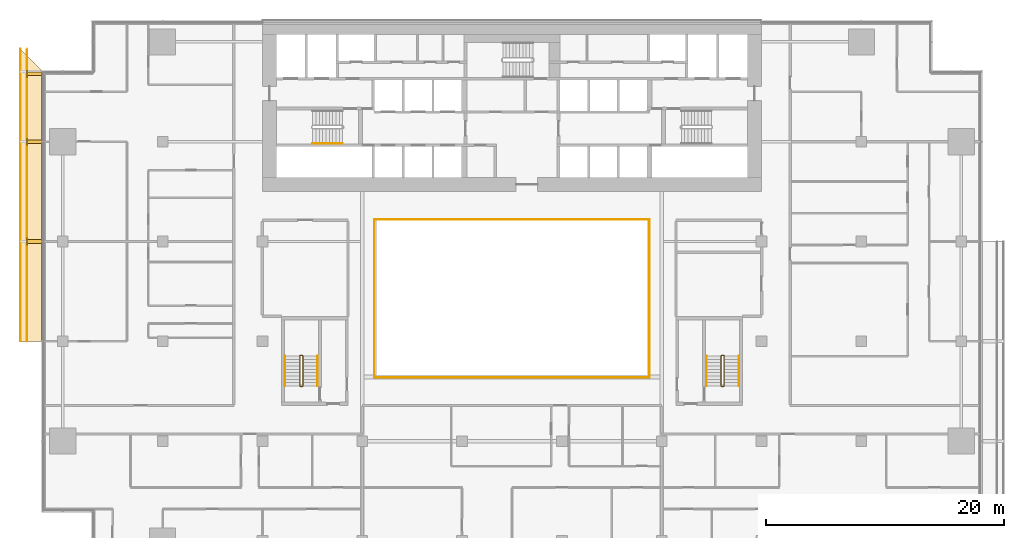
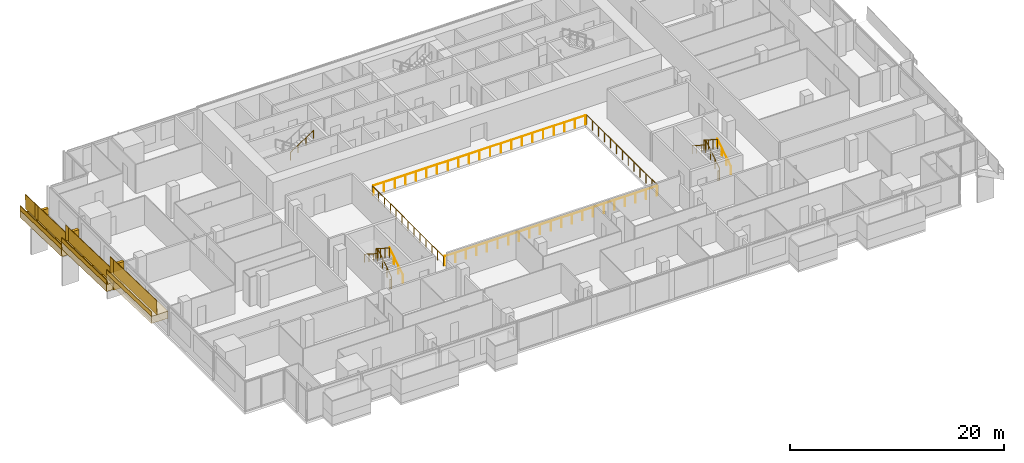
# One storey, part 26 of 28: 17 railings, 9 coverings.
"""IFC4 building model written with IfcOpenShell, lengths in metres."""

from ifc_helpers import new_model, si_unit, direction, frame, origin, origin_2d, place, context, subcontext, project, spatial, polyline, rectangle, circle, outline, extrude, material, layer, layer_set, type_object, element, save


model = new_model("IFC4")

# Units and contexts
model_context = context("Model", 3, precision=1e-05, world=origin(), true_north=direction((0.0, 1.0)))
body_context = subcontext(model_context, "Body", "Model", "MODEL_VIEW")
ifc_project = project(units=[si_unit("LENGTHUNIT", "METRE"), si_unit("AREAUNIT", "SQUARE_METRE"), si_unit("VOLUMEUNIT", "CUBIC_METRE"), si_unit("PLANEANGLEUNIT", "RADIAN"), si_unit("MASSUNIT", "GRAM", prefix="KILO")], contexts=[model_context])

# Site, building, storey
site_placement = place(None, origin())
site = spatial("IfcSite", under=ifc_project, at=site_placement, CompositionType="ELEMENT")
building_placement = place(site_placement, origin())
building = spatial("IfcBuilding", under=site, at=building_placement, Name="Saffron Gate Tower", CompositionType="ELEMENT")
storey_placement = place(building_placement, frame((0.0, 0.0, 51.60009765625)))
storey = spatial("IfcBuildingStorey", under=building, at=storey_placement, Name="L11", CompositionType="ELEMENT", Elevation=51.60009765625)

# Railings
ifc_material_1 = material(Name="Stainless steel and laminated glass", Category="steel")
railing_type_1 = type_object("IfcRailingType", Name="AG1 Atrium edge guard 1100", PredefinedType="GUARDRAIL", material=ifc_material_1)
railing_1_placement = place(storey_placement, frame((76.02001953125, 45.5400390625, 0.0)))
element("IfcRailing", 1, at=railing_1_placement, inside=storey, type_object=railing_type_1, Name="Guard A2-1", PredefinedType="GUARDRAIL", context=body_context, shape_type="SweptSolid", body=[
    extrude(circle(Radius=0.02392578125, at=origin_2d()), frame((0.0, 0.0, 1.076171875), z_axis=(0.0, 1.0, 0.0), x_axis=(-1.0, 0.0, 0.0)), (0.0, 0.0, 1.0), 13.320068359375),
    extrude(circle(Radius=0.02099609375, at=origin_2d()), origin(), (0.0, 0.0, 1.0), 1.052001953125),
    extrude(circle(Radius=0.02099609375, at=origin_2d()), frame((0.0, 1.110107421875, 0.0)), (0.0, 0.0, 1.0), 1.052001953125),
    extrude(circle(Radius=0.02099609375, at=origin_2d()), frame((0.0, 2.219970703125, 0.0)), (0.0, 0.0, 1.0), 1.052001953125),
    extrude(circle(Radius=0.02099609375, at=origin_2d()), frame((0.0, 3.330078125, 0.0)), (0.0, 0.0, 1.0), 1.052001953125),
    extrude(circle(Radius=0.02099609375, at=origin_2d()), frame((0.0, 4.43994140625, 0.0)), (0.0, 0.0, 1.0), 1.052001953125),
    extrude(circle(Radius=0.02099609375, at=origin_2d()), frame((0.0, 5.550048828125, 0.0)), (0.0, 0.0, 1.0), 1.052001953125),
    extrude(circle(Radius=0.02099609375, at=origin_2d()), frame((0.0, 6.66015625, 0.0)), (0.0, 0.0, 1.0), 1.052001953125),
    extrude(circle(Radius=0.02099609375, at=origin_2d()), frame((0.0, 7.77001953125, 0.0)), (0.0, 0.0, 1.0), 1.052001953125),
    extrude(circle(Radius=0.02099609375, at=origin_2d()), frame((0.0, 8.880126953125, 0.0)), (0.0, 0.0, 1.0), 1.052001953125),
    extrude(circle(Radius=0.02099609375, at=origin_2d()), frame((0.0, 9.989990234375, 0.0)), (0.0, 0.0, 1.0), 1.052001953125),
    extrude(circle(Radius=0.02099609375, at=origin_2d()), frame((0.0, 11.10009765625, 0.0)), (0.0, 0.0, 1.0), 1.052001953125),
    extrude(circle(Radius=0.02099609375, at=origin_2d()), frame((0.0, 12.2099609375, 0.0)), (0.0, 0.0, 1.0), 1.052001953125),
    extrude(circle(Radius=0.02099609375, at=origin_2d()), frame((0.0, 13.320068359375, 0.0)), (0.0, 0.0, 1.0), 1.052001953125),
])
railing_2_placement = place(storey_placement, frame((76.139892578125, 58.860107421875, 0.0)))
element("IfcRailing", 2, at=railing_2_placement, inside=storey, type_object=railing_type_1, Name="Guard A2-2", PredefinedType="GUARDRAIL", context=body_context, shape_type="SweptSolid", body=[
    extrude(circle(Radius=0.02392578125, at=origin_2d()), frame((0.0, 0.0, 1.076171875), z_axis=(1.0, 0.0, 0.0), x_axis=(0.0, 1.0, 0.0)), (0.0, 0.0, 1.0), 22.920166015625),
    extrude(circle(Radius=0.02099609375, at=origin_2d()), origin(), (0.0, 0.0, 1.0), 1.052001953125),
    extrude(circle(Radius=0.02099609375, at=origin_2d()), frame((1.14599609375, 0.0, 0.0)), (0.0, 0.0, 1.0), 1.052001953125),
    extrude(circle(Radius=0.02099609375, at=origin_2d()), frame((2.2919921875, 0.0, 0.0)), (0.0, 0.0, 1.0), 1.052001953125),
    extrude(circle(Radius=0.02099609375, at=origin_2d()), frame((3.43798828125, 0.0, 0.0)), (0.0, 0.0, 1.0), 1.052001953125),
    extrude(circle(Radius=0.02099609375, at=origin_2d()), frame((4.583984375, 0.0, 0.0)), (0.0, 0.0, 1.0), 1.052001953125),
    extrude(circle(Radius=0.02099609375, at=origin_2d()), frame((5.72998046875, 0.0, 0.0)), (0.0, 0.0, 1.0), 1.052001953125),
    extrude(circle(Radius=0.02099609375, at=origin_2d()), frame((6.8759765625, 0.0, 0.0)), (0.0, 0.0, 1.0), 1.052001953125),
    extrude(circle(Radius=0.02099609375, at=origin_2d()), frame((8.02197265625, 0.0, 0.0)), (0.0, 0.0, 1.0), 1.052001953125),
    extrude(circle(Radius=0.02099609375, at=origin_2d()), frame((9.16796875, 0.0, 0.0)), (0.0, 0.0, 1.0), 1.052001953125),
    extrude(circle(Radius=0.02099609375, at=origin_2d()), frame((10.31396484375, 0.0, 0.0)), (0.0, 0.0, 1.0), 1.052001953125),
    extrude(circle(Radius=0.02099609375, at=origin_2d()), frame((11.4599609375, 0.0, 0.0)), (0.0, 0.0, 1.0), 1.052001953125),
    extrude(circle(Radius=0.02099609375, at=origin_2d()), frame((12.606201171875, 0.0, 0.0)), (0.0, 0.0, 1.0), 1.052001953125),
    extrude(circle(Radius=0.02099609375, at=origin_2d()), frame((13.752197265625, 0.0, 0.0)), (0.0, 0.0, 1.0), 1.052001953125),
    extrude(circle(Radius=0.02099609375, at=origin_2d()), frame((14.898193359375, 0.0, 0.0)), (0.0, 0.0, 1.0), 1.052001953125),
    extrude(circle(Radius=0.02099609375, at=origin_2d()), frame((16.044189453125, 0.0, 0.0)), (0.0, 0.0, 1.0), 1.052001953125),
    extrude(circle(Radius=0.02099609375, at=origin_2d()), frame((17.190185546875, 0.0, 0.0)), (0.0, 0.0, 1.0), 1.052001953125),
    extrude(circle(Radius=0.02099609375, at=origin_2d()), frame((18.336181640625, 0.0, 0.0)), (0.0, 0.0, 1.0), 1.052001953125),
    extrude(circle(Radius=0.02099609375, at=origin_2d()), frame((19.482177734375, 0.0, 0.0)), (0.0, 0.0, 1.0), 1.052001953125),
    extrude(circle(Radius=0.02099609375, at=origin_2d()), frame((20.628173828125, 0.0, 0.0)), (0.0, 0.0, 1.0), 1.052001953125),
    extrude(circle(Radius=0.02099609375, at=origin_2d()), frame((21.774169921875, 0.0, 0.0)), (0.0, 0.0, 1.0), 1.052001953125),
    extrude(circle(Radius=0.02099609375, at=origin_2d()), frame((22.920166015625, 0.0, 0.0)), (0.0, 0.0, 1.0), 1.052001953125),
])
railing_3_placement = place(storey_placement, frame((99.179931640625, 58.860107421875, 0.0)))
element("IfcRailing", 3, at=railing_3_placement, inside=storey, type_object=railing_type_1, Name="Guard A2-3", PredefinedType="GUARDRAIL", context=body_context, shape_type="SweptSolid", body=[
    extrude(circle(Radius=0.02392578125, at=origin_2d()), frame((0.0, 0.0, 1.076171875), z_axis=(0.0, -1.0, 0.0), x_axis=(1.0, 0.0, 0.0)), (0.0, 0.0, 1.0), 13.320068359375),
    extrude(circle(Radius=0.02099609375, at=origin_2d()), origin(), (0.0, 0.0, 1.0), 1.052001953125),
    extrude(circle(Radius=0.02099609375, at=origin_2d()), frame((0.0, -1.110107421875, 0.0)), (0.0, 0.0, 1.0), 1.052001953125),
    extrude(circle(Radius=0.02099609375, at=origin_2d()), frame((0.0, -2.219970703125, 0.0)), (0.0, 0.0, 1.0), 1.052001953125),
    extrude(circle(Radius=0.02099609375, at=origin_2d()), frame((0.0, -3.330078125, 0.0)), (0.0, 0.0, 1.0), 1.052001953125),
    extrude(circle(Radius=0.02099609375, at=origin_2d()), frame((0.0, -4.43994140625, 0.0)), (0.0, 0.0, 1.0), 1.052001953125),
    extrude(circle(Radius=0.02099609375, at=origin_2d()), frame((0.0, -5.550048828125, 0.0)), (0.0, 0.0, 1.0), 1.052001953125),
    extrude(circle(Radius=0.02099609375, at=origin_2d()), frame((0.0, -6.66015625, 0.0)), (0.0, 0.0, 1.0), 1.052001953125),
    extrude(circle(Radius=0.02099609375, at=origin_2d()), frame((0.0, -7.77001953125, 0.0)), (0.0, 0.0, 1.0), 1.052001953125),
    extrude(circle(Radius=0.02099609375, at=origin_2d()), frame((0.0, -8.880126953125, 0.0)), (0.0, 0.0, 1.0), 1.052001953125),
    extrude(circle(Radius=0.02099609375, at=origin_2d()), frame((0.0, -9.989990234375, 0.0)), (0.0, 0.0, 1.0), 1.052001953125),
    extrude(circle(Radius=0.02099609375, at=origin_2d()), frame((0.0, -11.10009765625, 0.0)), (0.0, 0.0, 1.0), 1.052001953125),
    extrude(circle(Radius=0.02099609375, at=origin_2d()), frame((0.0, -12.2099609375, 0.0)), (0.0, 0.0, 1.0), 1.052001953125),
    extrude(circle(Radius=0.02099609375, at=origin_2d()), frame((0.0, -13.320068359375, 0.0)), (0.0, 0.0, 1.0), 1.052001953125),
])
railing_4_placement = place(storey_placement, frame((99.06005859375, 45.5400390625, 0.0)))
element("IfcRailing", 4, at=railing_4_placement, inside=storey, type_object=railing_type_1, Name="Guard A2-4", PredefinedType="GUARDRAIL", context=body_context, shape_type="SweptSolid", body=[
    extrude(circle(Radius=0.02392578125, at=origin_2d()), frame((0.0, 0.0, 1.076171875), z_axis=(-1.0, 0.0, 0.0), x_axis=(0.0, -1.0, 0.0)), (0.0, 0.0, 1.0), 22.920166015625),
    extrude(circle(Radius=0.02099609375, at=origin_2d()), origin(), (0.0, 0.0, 1.0), 1.052001953125),
    extrude(circle(Radius=0.02099609375, at=origin_2d()), frame((-1.14599609375, 0.0, 0.0)), (0.0, 0.0, 1.0), 1.052001953125),
    extrude(circle(Radius=0.02099609375, at=origin_2d()), frame((-2.2919921875, 0.0, 0.0)), (0.0, 0.0, 1.0), 1.052001953125),
    extrude(circle(Radius=0.02099609375, at=origin_2d()), frame((-3.43798828125, 0.0, 0.0)), (0.0, 0.0, 1.0), 1.052001953125),
    extrude(circle(Radius=0.02099609375, at=origin_2d()), frame((-4.583984375, 0.0, 0.0)), (0.0, 0.0, 1.0), 1.052001953125),
    extrude(circle(Radius=0.02099609375, at=origin_2d()), frame((-5.72998046875, 0.0, 0.0)), (0.0, 0.0, 1.0), 1.052001953125),
    extrude(circle(Radius=0.02099609375, at=origin_2d()), frame((-6.8759765625, 0.0, 0.0)), (0.0, 0.0, 1.0), 1.052001953125),
    extrude(circle(Radius=0.02099609375, at=origin_2d()), frame((-8.02197265625, 0.0, 0.0)), (0.0, 0.0, 1.0), 1.052001953125),
    extrude(circle(Radius=0.02099609375, at=origin_2d()), frame((-9.16796875, 0.0, 0.0)), (0.0, 0.0, 1.0), 1.052001953125),
    extrude(circle(Radius=0.02099609375, at=origin_2d()), frame((-10.31396484375, 0.0, 0.0)), (0.0, 0.0, 1.0), 1.052001953125),
    extrude(circle(Radius=0.02099609375, at=origin_2d()), frame((-11.4599609375, 0.0, 0.0)), (0.0, 0.0, 1.0), 1.052001953125),
    extrude(circle(Radius=0.02099609375, at=origin_2d()), frame((-12.606201171875, 0.0, 0.0)), (0.0, 0.0, 1.0), 1.052001953125),
    extrude(circle(Radius=0.02099609375, at=origin_2d()), frame((-13.752197265625, 0.0, 0.0)), (0.0, 0.0, 1.0), 1.052001953125),
    extrude(circle(Radius=0.02099609375, at=origin_2d()), frame((-14.898193359375, 0.0, 0.0)), (0.0, 0.0, 1.0), 1.052001953125),
    extrude(circle(Radius=0.02099609375, at=origin_2d()), frame((-16.044189453125, 0.0, 0.0)), (0.0, 0.0, 1.0), 1.052001953125),
    extrude(circle(Radius=0.02099609375, at=origin_2d()), frame((-17.190185546875, 0.0, 0.0)), (0.0, 0.0, 1.0), 1.052001953125),
    extrude(circle(Radius=0.02099609375, at=origin_2d()), frame((-18.336181640625, 0.0, 0.0)), (0.0, 0.0, 1.0), 1.052001953125),
    extrude(circle(Radius=0.02099609375, at=origin_2d()), frame((-19.482177734375, 0.0, 0.0)), (0.0, 0.0, 1.0), 1.052001953125),
    extrude(circle(Radius=0.02099609375, at=origin_2d()), frame((-20.628173828125, 0.0, 0.0)), (0.0, 0.0, 1.0), 1.052001953125),
    extrude(circle(Radius=0.02099609375, at=origin_2d()), frame((-21.774169921875, 0.0, 0.0)), (0.0, 0.0, 1.0), 1.052001953125),
    extrude(circle(Radius=0.02099609375, at=origin_2d()), frame((-22.920166015625, 0.0, 0.0)), (0.0, 0.0, 1.0), 1.052001953125),
])
railing_type_2 = type_object("IfcRailingType", Name="CR1 Stair guard 1100", PredefinedType="GUARDRAIL", material=ifc_material_1)
railing_5_placement = place(storey_placement, frame((69.800048828125, 44.800048828125, 0.0)))
element("IfcRailing", 5, at=railing_5_placement, inside=storey, type_object=railing_type_2, Name="L11 ST-D stair guard 1", PredefinedType="GUARDRAIL", context=body_context, shape_type="SweptSolid", body=[
    extrude(circle(Radius=0.02392578125, at=origin_2d()), frame((0.0, 0.0, 1.076171875), z_axis=(1.0, 0.0, 0.0), x_axis=(0.0, 1.0, 0.0)), (0.0, 0.0, 1.0), 0.14990234375),
    extrude(circle(Radius=0.02392578125, at=origin_2d()), frame((0.14990234375, 0.0, 1.076171875), z_axis=(0.258847668887, 0.258847668887, 0.930588936439), x_axis=(-0.707106781187, 0.707106781187, 0.0)), (0.0, 0.0, 1.0), 0.193359375),
    extrude(circle(Radius=0.02392578125, at=origin_2d()), frame((0.199951171875, 0.050048828125, 1.255859375), z_axis=(0.0, 0.841199657755, 0.540724639528), x_axis=(-1.0, 0.0, 0.0)), (0.0, 0.0, 1.0), 2.995849609375),
    extrude(circle(Radius=0.02392578125, at=origin_2d()), frame((0.199951171875, 2.570068359375, 2.8759765625), z_axis=(-0.708833529934, 0.705375805398, 0.0), x_axis=(-0.705375805398, -0.708833529934, 0.0)), (0.0, 0.0, 1.0), 0.070556640625),
    extrude(circle(Radius=0.02392578125, at=origin_2d()), frame((0.14990234375, 2.619873046875, 2.8759765625), z_axis=(-1.0, 0.0, 0.0), x_axis=(0.0, -1.0, 0.0)), (0.0, 0.0, 1.0), 0.14990234375),
    extrude(circle(Radius=0.02392578125, at=origin_2d()), frame((0.0, 2.619873046875, 2.8759765625), z_axis=(-0.258627984543, -0.257366384619, 0.931060744355), x_axis=(0.705375805398, -0.708833529934, 0.0)), (0.0, 0.0, 1.0), 0.193603515625),
    extrude(circle(Radius=0.02392578125, at=origin_2d()), frame((-0.050048828125, 2.570068359375, 3.05615234375), z_axis=(0.0, -0.841199657755, 0.540724639528), x_axis=(1.0, 0.0, 0.0)), (0.0, 0.0, 1.0), 2.995849609375),
    extrude(circle(Radius=0.02099609375, at=origin_2d()), origin(), (0.0, 0.0, 1.0), 1.052001953125),
    extrude(circle(Radius=0.02099609375, at=origin_2d()), frame((0.14990234375, 0.0, 0.0)), (0.0, 0.0, 1.0), 1.052001953125),
    extrude(circle(Radius=0.02099609375, at=origin_2d()), frame((0.199951171875, 0.050048828125, 0.179931640625)), (0.0, 0.0, 1.0), 1.052001953125),
    extrude(circle(Radius=0.02099609375, at=origin_2d()), frame((0.199951171875, 0.89013671875, 0.719970703125)), (0.0, 0.0, 1.0), 1.052001953125),
    extrude(circle(Radius=0.02099609375, at=origin_2d()), frame((0.199951171875, 1.72998046875, 1.259765625)), (0.0, 0.0, 1.0), 1.052001953125),
    extrude(circle(Radius=0.02099609375, at=origin_2d()), frame((0.199951171875, 2.570068359375, 1.7998046875)), (0.0, 0.0, 1.0), 1.052001953125),
    extrude(circle(Radius=0.02099609375, at=origin_2d()), frame((0.14990234375, 2.619873046875, 1.7998046875)), (0.0, 0.0, 1.0), 1.052001953125),
    extrude(circle(Radius=0.02099609375, at=origin_2d()), frame((0.0, 2.619873046875, 1.7998046875)), (0.0, 0.0, 1.0), 1.052001953125),
    extrude(circle(Radius=0.02099609375, at=origin_2d()), frame((-0.050048828125, 2.570068359375, 1.97998046875)), (0.0, 0.0, 1.0), 1.052001953125),
    extrude(circle(Radius=0.02099609375, at=origin_2d()), frame((-0.050048828125, 1.72998046875, 2.52001953125)), (0.0, 0.0, 1.0), 1.052001953125),
    extrude(circle(Radius=0.02099609375, at=origin_2d()), frame((-0.050048828125, 0.89013671875, 3.059814453125)), (0.0, 0.0, 1.0), 1.052001953125),
    extrude(circle(Radius=0.02099609375, at=origin_2d()), frame((-0.050048828125, 0.050048828125, 3.599853515625)), (0.0, 0.0, 1.0), 1.052001953125),
])
railing_6_placement = place(storey_placement, frame((105.25, 44.800048828125, 0.0)))
element("IfcRailing", 6, at=railing_6_placement, inside=storey, type_object=railing_type_2, Name="L11 ST-E stair guard 1", PredefinedType="GUARDRAIL", context=body_context, shape_type="SweptSolid", body=[
    extrude(circle(Radius=0.02392578125, at=origin_2d()), frame((0.0, 0.0, 1.076171875), z_axis=(1.0, 0.0, 0.0), x_axis=(0.0, 1.0, 0.0)), (0.0, 0.0, 1.0), 0.14990234375),
    extrude(circle(Radius=0.02392578125, at=origin_2d()), frame((0.14990234375, 0.0, 1.076171875), z_axis=(0.258847668887, 0.258847668887, 0.930588936439), x_axis=(-0.707106781187, 0.707106781187, 0.0)), (0.0, 0.0, 1.0), 0.193359375),
    extrude(circle(Radius=0.02392578125, at=origin_2d()), frame((0.199951171875, 0.050048828125, 1.255859375), z_axis=(0.0, 0.841199657755, 0.540724639528), x_axis=(-1.0, 0.0, 0.0)), (0.0, 0.0, 1.0), 2.995849609375),
    extrude(circle(Radius=0.02392578125, at=origin_2d()), frame((0.199951171875, 2.570068359375, 2.8759765625), z_axis=(-0.708833529934, 0.705375805398, 0.0), x_axis=(-0.705375805398, -0.708833529934, 0.0)), (0.0, 0.0, 1.0), 0.070556640625),
    extrude(circle(Radius=0.02392578125, at=origin_2d()), frame((0.14990234375, 2.619873046875, 2.8759765625), z_axis=(-1.0, 0.0, 0.0), x_axis=(0.0, -1.0, 0.0)), (0.0, 0.0, 1.0), 0.14990234375),
    extrude(circle(Radius=0.02392578125, at=origin_2d()), frame((0.0, 2.619873046875, 2.8759765625), z_axis=(-0.258627984543, -0.257366384619, 0.931060744355), x_axis=(0.705375805398, -0.708833529934, 0.0)), (0.0, 0.0, 1.0), 0.193603515625),
    extrude(circle(Radius=0.02392578125, at=origin_2d()), frame((-0.050048828125, 2.570068359375, 3.05615234375), z_axis=(0.0, -0.841199657755, 0.540724639528), x_axis=(1.0, 0.0, 0.0)), (0.0, 0.0, 1.0), 2.995849609375),
    extrude(circle(Radius=0.02099609375, at=origin_2d()), origin(), (0.0, 0.0, 1.0), 1.052001953125),
    extrude(circle(Radius=0.02099609375, at=origin_2d()), frame((0.14990234375, 0.0, 0.0)), (0.0, 0.0, 1.0), 1.052001953125),
    extrude(circle(Radius=0.02099609375, at=origin_2d()), frame((0.199951171875, 0.050048828125, 0.179931640625)), (0.0, 0.0, 1.0), 1.052001953125),
    extrude(circle(Radius=0.02099609375, at=origin_2d()), frame((0.199951171875, 0.89013671875, 0.719970703125)), (0.0, 0.0, 1.0), 1.052001953125),
    extrude(circle(Radius=0.02099609375, at=origin_2d()), frame((0.199951171875, 1.72998046875, 1.259765625)), (0.0, 0.0, 1.0), 1.052001953125),
    extrude(circle(Radius=0.02099609375, at=origin_2d()), frame((0.199951171875, 2.570068359375, 1.7998046875)), (0.0, 0.0, 1.0), 1.052001953125),
    extrude(circle(Radius=0.02099609375, at=origin_2d()), frame((0.14990234375, 2.619873046875, 1.7998046875)), (0.0, 0.0, 1.0), 1.052001953125),
    extrude(circle(Radius=0.02099609375, at=origin_2d()), frame((0.0, 2.619873046875, 1.7998046875)), (0.0, 0.0, 1.0), 1.052001953125),
    extrude(circle(Radius=0.02099609375, at=origin_2d()), frame((-0.050048828125, 2.570068359375, 1.97998046875)), (0.0, 0.0, 1.0), 1.052001953125),
    extrude(circle(Radius=0.02099609375, at=origin_2d()), frame((-0.050048828125, 1.72998046875, 2.52001953125)), (0.0, 0.0, 1.0), 1.052001953125),
    extrude(circle(Radius=0.02099609375, at=origin_2d()), frame((-0.050048828125, 0.89013671875, 3.059814453125)), (0.0, 0.0, 1.0), 1.052001953125),
    extrude(circle(Radius=0.02099609375, at=origin_2d()), frame((-0.050048828125, 0.050048828125, 3.599853515625)), (0.0, 0.0, 1.0), 1.052001953125),
])
ifc_material_2 = material(Name="Stainless steel", Category="steel")
railing_type_3 = type_object("IfcRailingType", Name="CR2 Stair handrail 900", PredefinedType="HANDRAIL", material=ifc_material_2)
railing_7_placement = place(storey_placement, frame((70.830078125, 65.25, 1.97998046875)))
element("IfcRailing", 7, at=railing_7_placement, inside=storey, type_object=railing_type_3, Name="L11 ST-A stair handrail 2", PredefinedType="HANDRAIL", context=body_context, shape_type="SweptSolid", body=[
    extrude(circle(Radius=0.02392578125, at=origin_2d()), frame((0.0, 0.0, 0.8759765625), z_axis=(0.841199657755, 0.0, 0.540724639528), x_axis=(0.0, 1.0, 0.0)), (0.0, 0.0, 1.0), 2.995849609375),
    extrude(circle(Radius=0.02099609375, at=origin_2d()), origin(), (0.0, 0.0, 1.0), 0.851806640625),
    extrude(circle(Radius=0.02099609375, at=origin_2d()), frame((0.840087890625, 0.0, 0.5400390625)), (0.0, 0.0, 1.0), 0.851806640625),
    extrude(circle(Radius=0.02099609375, at=origin_2d()), frame((1.679931640625, 0.0, 1.079833984375)), (0.0, 0.0, 1.0), 0.851806640625),
    extrude(circle(Radius=0.02099609375, at=origin_2d()), frame((2.52001953125, 0.0, 1.619873046875)), (0.0, 0.0, 1.0), 0.851806640625),
])
railing_8_placement = place(storey_placement, frame((71.25, 44.85009765625, 0.179931640625)))
element("IfcRailing", 8, at=railing_8_placement, inside=storey, type_object=railing_type_3, Name="L11 ST-D stair handrail 1", PredefinedType="HANDRAIL", context=body_context, shape_type="SweptSolid", body=[
    extrude(circle(Radius=0.02392578125, at=origin_2d()), frame((0.0, 0.0, 0.8759765625), z_axis=(0.0, 0.841199657755, 0.540724639528), x_axis=(-1.0, 0.0, 0.0)), (0.0, 0.0, 1.0), 2.995849609375),
    extrude(circle(Radius=0.02099609375, at=origin_2d()), origin(), (0.0, 0.0, 1.0), 0.851806640625),
    extrude(circle(Radius=0.02099609375, at=origin_2d()), frame((0.0, 0.840087890625, 0.5400390625)), (0.0, 0.0, 1.0), 0.851806640625),
    extrude(circle(Radius=0.02099609375, at=origin_2d()), frame((0.0, 1.679931640625, 1.079833984375)), (0.0, 0.0, 1.0), 0.851806640625),
    extrude(circle(Radius=0.02099609375, at=origin_2d()), frame((0.0, 2.52001953125, 1.619873046875)), (0.0, 0.0, 1.0), 0.851806640625),
])
railing_9_placement = place(storey_placement, frame((68.5, 47.3701171875, 1.97998046875)))
element("IfcRailing", 9, at=railing_9_placement, inside=storey, type_object=railing_type_3, Name="L11 ST-D stair handrail 2", PredefinedType="HANDRAIL", context=body_context, shape_type="SweptSolid", body=[
    extrude(circle(Radius=0.02392578125, at=origin_2d()), frame((0.0, 0.0, 0.8759765625), z_axis=(0.0, -0.841199657755, 0.540724639528), x_axis=(1.0, 0.0, 0.0)), (0.0, 0.0, 1.0), 2.995849609375),
    extrude(circle(Radius=0.02099609375, at=origin_2d()), origin(), (0.0, 0.0, 1.0), 0.851806640625),
    extrude(circle(Radius=0.02099609375, at=origin_2d()), frame((0.0, -0.840087890625, 0.5400390625)), (0.0, 0.0, 1.0), 0.851806640625),
    extrude(circle(Radius=0.02099609375, at=origin_2d()), frame((0.0, -1.679931640625, 1.079833984375)), (0.0, 0.0, 1.0), 0.851806640625),
    extrude(circle(Radius=0.02099609375, at=origin_2d()), frame((0.0, -2.52001953125, 1.619873046875)), (0.0, 0.0, 1.0), 0.851806640625),
])
railing_10_placement = place(storey_placement, frame((106.699951171875, 44.85009765625, 0.179931640625)))
element("IfcRailing", 10, at=railing_10_placement, inside=storey, type_object=railing_type_3, Name="L11 ST-E stair handrail 1", PredefinedType="HANDRAIL", context=body_context, shape_type="SweptSolid", body=[
    extrude(circle(Radius=0.02392578125, at=origin_2d()), frame((0.0, 0.0, 0.8759765625), z_axis=(0.0, 0.841199657755, 0.540724639528), x_axis=(-1.0, 0.0, 0.0)), (0.0, 0.0, 1.0), 2.995849609375),
    extrude(circle(Radius=0.02099609375, at=origin_2d()), origin(), (0.0, 0.0, 1.0), 0.851806640625),
    extrude(circle(Radius=0.02099609375, at=origin_2d()), frame((0.0, 0.840087890625, 0.5400390625)), (0.0, 0.0, 1.0), 0.851806640625),
    extrude(circle(Radius=0.02099609375, at=origin_2d()), frame((0.0, 1.679931640625, 1.079833984375)), (0.0, 0.0, 1.0), 0.851806640625),
    extrude(circle(Radius=0.02099609375, at=origin_2d()), frame((0.0, 2.52001953125, 1.619873046875)), (0.0, 0.0, 1.0), 0.851806640625),
])
railing_11_placement = place(storey_placement, frame((103.949951171875, 47.3701171875, 1.97998046875)))
element("IfcRailing", 11, at=railing_11_placement, inside=storey, type_object=railing_type_3, Name="L11 ST-E stair handrail 2", PredefinedType="HANDRAIL", context=body_context, shape_type="SweptSolid", body=[
    extrude(circle(Radius=0.02392578125, at=origin_2d()), frame((0.0, 0.0, 0.8759765625), z_axis=(0.0, -0.841199657755, 0.540724639528), x_axis=(1.0, 0.0, 0.0)), (0.0, 0.0, 1.0), 2.995849609375),
    extrude(circle(Radius=0.02099609375, at=origin_2d()), origin(), (0.0, 0.0, 1.0), 0.851806640625),
    extrude(circle(Radius=0.02099609375, at=origin_2d()), frame((0.0, -0.840087890625, 0.5400390625)), (0.0, 0.0, 1.0), 0.851806640625),
    extrude(circle(Radius=0.02099609375, at=origin_2d()), frame((0.0, -1.679931640625, 1.079833984375)), (0.0, 0.0, 1.0), 0.851806640625),
    extrude(circle(Radius=0.02099609375, at=origin_2d()), frame((0.0, -2.52001953125, 1.619873046875)), (0.0, 0.0, 1.0), 0.851806640625),
])

# Coverings
ifc_material_3 = material(Name="Timber, thermally modified ash", Category="wood")
ifc_layer_1 = layer(ifc_material_3, 0.800048828125)
ifc_layer_set_1 = layer_set([ifc_layer_1], Name="LD1 ledge timber")
covering_type_1 = type_object("IfcCoveringType", Name="LD1 ledge timber", PredefinedType="CLADDING", material=ifc_layer_set_1)
covering_1_placement = place(storey_placement, frame((48.0, 71.39990234375, 0.09912109375), z_axis=(-3.5027307e-05, 0.028807146299, 0.99958498743), x_axis=(-3.68e-10, -0.999584988043, 0.028807146316)))
element("IfcCovering", 12, at=covering_1_placement, inside=storey, type_object=covering_type_1, Name="LEDGE", PredefinedType="CLADDING", context=body_context, shape_type="SweptSolid", body=[
    extrude(outline(polyline([(0.0, 0.0), (6.0024892885105, 2.541098841762901e-21), (6.002489289172793, -1.8000488270207489), (-1.800799813548424, -1.8000488321003227), (0.0, 0.0)])), origin(), (0.0, 0.0, -1.0), 0.800048828125),
])
for number, where, z_axis, x_axis, name in (
    (13, (48.0, 65.39990234375, 1.12939453125), (0.0, 0.028791175352, 0.999585448184), (0.0, -0.999585448184, 0.028791175352), "LEDGE"),
    (14, (48.0, 57.0, 2.57177734375), (0.0, 0.028791175352, 0.999585448184), (0.0, -0.999585448184, 0.028791175352), "LEDGE"),
):
    element("IfcCovering", number, at=place(storey_placement, frame(where, z_axis=z_axis, x_axis=x_axis)), inside=storey, type_object=covering_type_1, Name=name, PredefinedType="CLADDING", context=body_context, shape_type="SweptSolid", body=[
        extrude(outline(polyline([(0.0, 0.0), (8.403385982666892, 0.0), (8.403385982666892, -1.800048828125), (0.0, -1.800048828125), (0.0, 0.0)])), origin(), (0.0, 0.0, -1.0), 0.800048828125),
    ])
ifc_layer_2 = layer(ifc_material_3, 0.080078125)
ifc_layer_set_2 = layer_set([ifc_layer_2], Name="LD2 ledge planter trough")
covering_type_2 = type_object("IfcCoveringType", Name="LD2 ledge planter trough", PredefinedType="CLADDING", material=ifc_layer_set_2)
covering_2_placement = place(storey_placement, frame((46.199951171875, 73.199951171875, 0.047119140625), z_axis=(-1.0, 0.0, 0.0), x_axis=(0.0, -0.999584755248, 0.028815222999)))
element("IfcCovering", 15, at=covering_2_placement, inside=storey, type_object=covering_type_2, Name="LEDGE planter trough", PredefinedType="CLADDING", context=body_context, shape_type="SweptSolid", body=[
    extrude(outline(polyline([(0.0, 0.0), (7.803289102975944, 0.0), (7.8176967144752565, 0.4997923776238338), (0.014407611499312996, 0.4997923776238338), (0.0, 0.0)])), origin(), (0.0, 0.0, -1.0), 0.080078125),
])
for number, where, z_axis, x_axis, name in (
    (16, (46.199951171875, 65.39990234375, 1.12939453125), (-1.0, 0.0, 0.0), (0.0, -0.999585448184, 0.028791175352), "LEDGE planter trough"),
    (17, (46.199951171875, 57.0, 2.57177734375), (-1.0, 0.0, 0.0), (0.0, -0.999585448184, 0.028791175352), "LEDGE planter trough"),
):
    element("IfcCovering", number, at=place(storey_placement, frame(where, z_axis=z_axis, x_axis=x_axis)), inside=storey, type_object=covering_type_2, Name=name, PredefinedType="CLADDING", context=body_context, shape_type="SweptSolid", body=[
        extrude(outline(polyline([(0.0, 0.0), (8.403385982666892, 0.0), (8.417781570342743, 0.49979272409216496), (0.014395587675851172, 0.4997927240921649), (0.0, 0.0)])), origin(), (0.0, 0.0, -1.0), 0.080078125),
    ])
ifc_layer_3 = layer(ifc_material_3, 0.300048828125)
ifc_layer_set_3 = layer_set([ifc_layer_3], Name="LD3 ledge riser fin")
covering_type_3 = type_object("IfcCoveringType", Name="LD3 ledge riser fin", PredefinedType="CLADDING", material=ifc_layer_set_3)
covering_3_placement = place(storey_placement, frame((47.43994140625, 71.10009765625, -0.9580078125), z_axis=(0.0, 0.0, 1.0), x_axis=(0.0, -1.0, 0.0)))
element("IfcCovering", 18, at=covering_3_placement, inside=storey, type_object=covering_type_3, Name="LEDGE riser fin", PredefinedType="CLADDING", context=body_context, shape_type="SweptSolid", body=[
    extrude(rectangle(XDim=0.300048828125, YDim=1.1201171875, at=origin_2d()), origin(), (0.0, 0.0, 1.0), 1.957275390625),
])
covering_4_placement = place(storey_placement, frame((47.43994140625, 65.39990234375, -0.52783203125), z_axis=(0.0, 0.0, 1.0), x_axis=(0.0, -1.0, 0.0)))
element("IfcCovering", 19, at=covering_4_placement, inside=storey, type_object=covering_type_3, Name="LEDGE riser fin", PredefinedType="CLADDING", context=body_context, shape_type="SweptSolid", body=[
    extrude(rectangle(XDim=0.300048828125, YDim=1.1201171875, at=origin_2d()), origin(), (0.0, 0.0, 1.0), 2.557373046875),
])
covering_5_placement = place(storey_placement, frame((47.43994140625, 57.0, 0.5712890625), z_axis=(0.0, 0.0, 1.0), x_axis=(0.0, -1.0, 0.0)))
element("IfcCovering", 20, at=covering_5_placement, inside=storey, type_object=covering_type_3, Name="LEDGE riser fin", PredefinedType="CLADDING", context=body_context, shape_type="SweptSolid", body=[
    extrude(rectangle(XDim=0.300048828125, YDim=1.1201171875, at=origin_2d()), origin(), (0.0, 0.0, 1.0), 2.900390625),
])

# Railings
railing_type_4 = type_object("IfcRailingType", Name="LG1 ledge balustrade", PredefinedType="BALUSTRADE", material=ifc_material_3)
railing_12_placement = place(storey_placement, frame((46.800048828125, 73.199951171875, 0.047119140625)))
element("IfcRailing", 21, at=railing_12_placement, inside=storey, type_object=railing_type_4, Name="LEDGE BALUSTRADE", PredefinedType="BALUSTRADE", context=body_context, shape_type="SweptSolid", body=[
    extrude(rectangle(XDim=0.06005859375, YDim=1.60009765625, at=origin_2d()), frame((0.0, 0.0, 0.800048828125), z_axis=(0.0, -0.999584755248, 0.028815222999), x_axis=(1.0, 0.0, 0.0)), (0.0, 0.0, 1.0), 7.80322265625),
])
railing_13_placement = place(storey_placement, frame((46.800048828125, 71.39990234375, -0.158203125)))
element("IfcRailing", 22, at=railing_13_placement, inside=storey, type_object=railing_type_4, Name="LEDGE BALUSTRADE", PredefinedType="BALUSTRADE", context=body_context, shape_type="SweptSolid", body=[
    extrude(rectangle(XDim=0.06005859375, YDim=1.857177734375, at=origin_2d()), frame((0.0, 0.0, 0.9287109375), z_axis=(0.0, -1.0, 0.0), x_axis=(1.0, 0.0, 0.0)), (0.0, 0.0, 1.0), 0.599853515625),
])
railing_14_placement = place(storey_placement, frame((46.800048828125, 65.39990234375, 1.12939453125)))
element("IfcRailing", 23, at=railing_14_placement, inside=storey, type_object=railing_type_4, Name="LEDGE BALUSTRADE", PredefinedType="BALUSTRADE", context=body_context, shape_type="SweptSolid", body=[
    extrude(rectangle(XDim=0.06005859375, YDim=1.60009765625, at=origin_2d()), frame((0.0, 0.0, 0.800048828125), z_axis=(0.0, -0.999585448184, 0.028791175352), x_axis=(1.0, 0.0, 0.0)), (0.0, 0.0, 1.0), 8.4033203125),
])
railing_15_placement = place(storey_placement, frame((46.800048828125, 65.699951171875, 0.27197265625)))
element("IfcRailing", 24, at=railing_15_placement, inside=storey, type_object=railing_type_4, Name="LEDGE BALUSTRADE", PredefinedType="BALUSTRADE", context=body_context, shape_type="SweptSolid", body=[
    extrude(rectangle(XDim=0.06005859375, YDim=2.45751953125, at=origin_2d()), frame((0.0, 0.0, 1.228759765625), z_axis=(0.0, -1.0, 0.0), x_axis=(1.0, 0.0, 0.0)), (0.0, 0.0, 1.0), 0.599853515625),
])
railing_16_placement = place(storey_placement, frame((46.800048828125, 57.0, 2.57177734375)))
element("IfcRailing", 25, at=railing_16_placement, inside=storey, type_object=railing_type_4, Name="LEDGE BALUSTRADE", PredefinedType="BALUSTRADE", context=body_context, shape_type="SweptSolid", body=[
    extrude(rectangle(XDim=0.06005859375, YDim=1.60009765625, at=origin_2d()), frame((0.0, 0.0, 0.800048828125), z_axis=(0.0, -0.999585448184, 0.028791175352), x_axis=(1.0, 0.0, 0.0)), (0.0, 0.0, 1.0), 8.4033203125),
])
railing_17_placement = place(storey_placement, frame((46.800048828125, 57.300048828125, 1.371337890625)))
element("IfcRailing", 26, at=railing_17_placement, inside=storey, type_object=railing_type_4, Name="LEDGE BALUSTRADE", PredefinedType="BALUSTRADE", context=body_context, shape_type="SweptSolid", body=[
    extrude(rectangle(XDim=0.06005859375, YDim=2.80029296875, at=origin_2d()), frame((0.0, 0.0, 1.400146484375), z_axis=(0.0, -1.0, 0.0), x_axis=(1.0, 0.0, 0.0)), (0.0, 0.0, 1.0), 0.60009765625),
])

save(model, "model.ifc")
